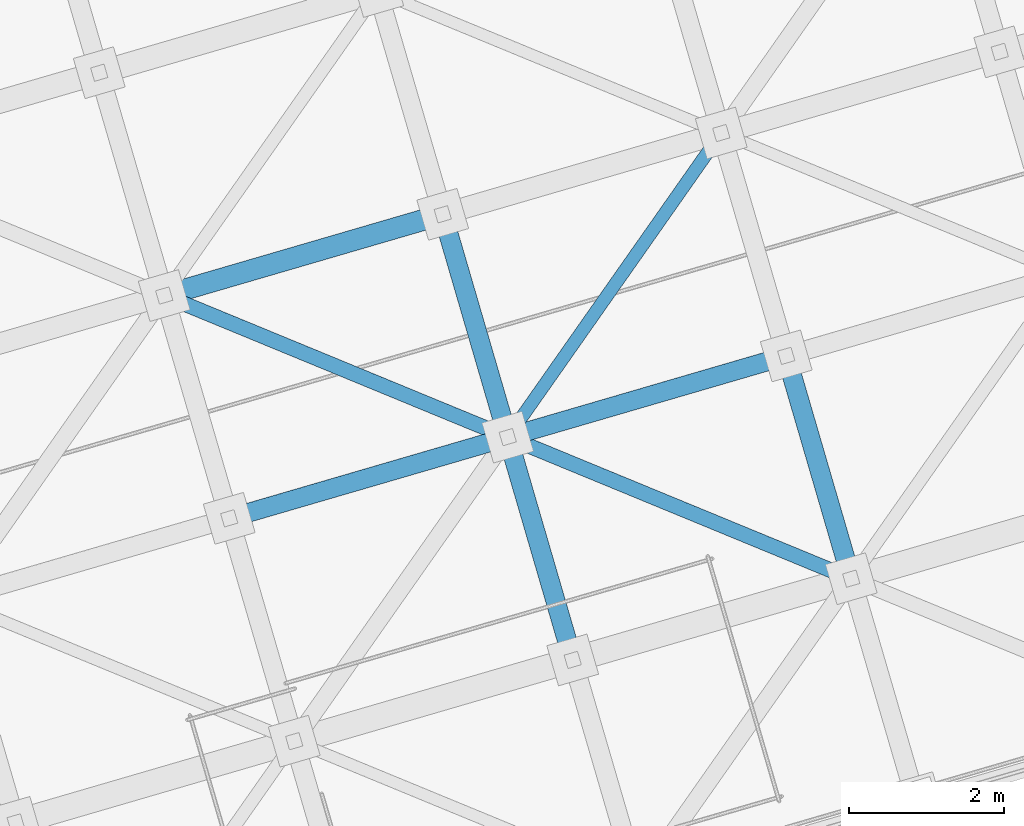
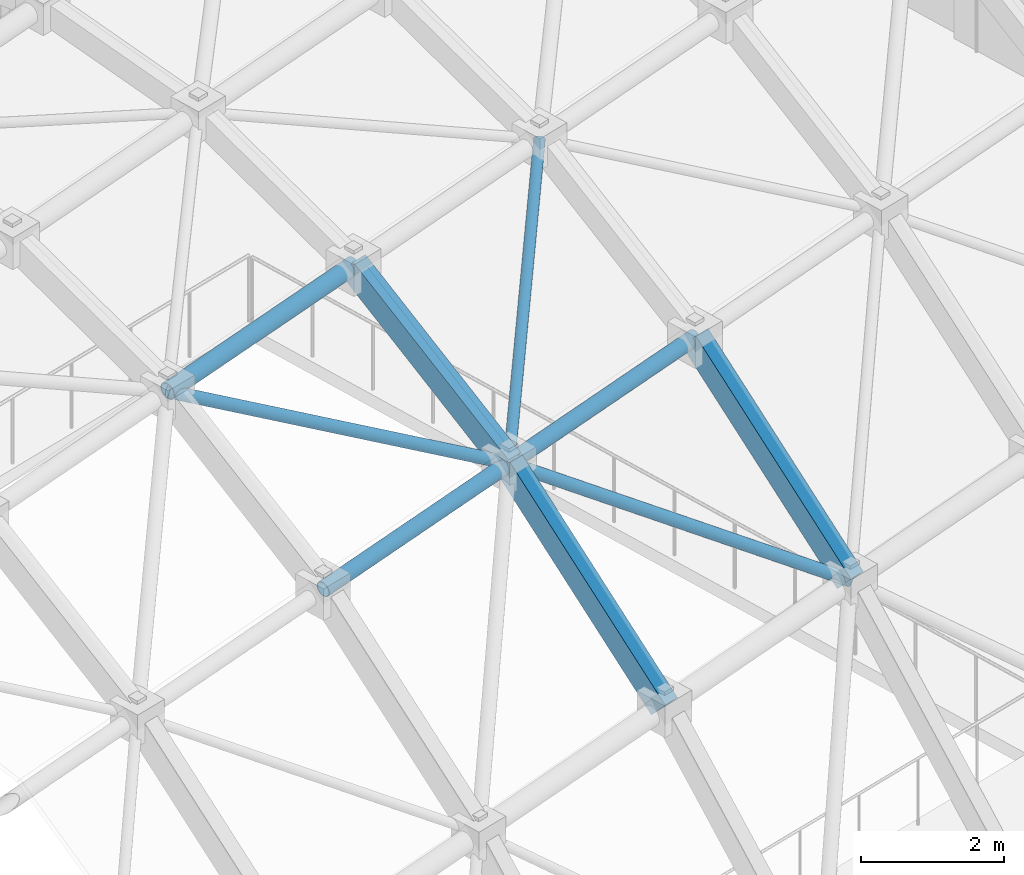
# One storey, part 63 of 248: 6 members, 3 beams.
"""IFC4 building model written with IfcOpenShell, lengths in metres."""

from ifc_helpers import new_model, si_unit, direction, frame, origin, origin_2d, place, context, subcontext, project, spatial, hollow_rectangle, hollow_circle, extrude, material, material_profile, profile_set, type_object, element, save


model = new_model("IFC4")

# Units and contexts
model_context = context("Model", 3, precision=1e-05, world=origin(), true_north=direction((0.0, 1.0)))
body_context = subcontext(model_context, "Body", "Model", "MODEL_VIEW")
ifc_project = project(units=[si_unit("LENGTHUNIT", "METRE"), si_unit("AREAUNIT", "SQUARE_METRE"), si_unit("VOLUMEUNIT", "CUBIC_METRE"), si_unit("PLANEANGLEUNIT", "RADIAN"), si_unit("MASSUNIT", "GRAM", prefix="KILO")], contexts=[model_context])

# Site, building, storey
site_placement = place(None, origin())
site = spatial("IfcSite", under=ifc_project, at=site_placement, CompositionType="ELEMENT")
building_placement = place(site_placement, origin())
building = spatial("IfcBuilding", under=site, at=building_placement, Name="Canggui Botanical Conservatory", CompositionType="ELEMENT")
storey_placement = place(building_placement, frame((0.0, 0.0, 5.39990234375)))
storey = spatial("IfcBuildingStorey", under=building, at=storey_placement, Name="L02", CompositionType="ELEMENT", Elevation=5.39990234375)

# Beams
ifc_material = material(Name="Steel Q355C", Category="steel")
ifc_material_profile_1 = material_profile(ifc_material, hollow_rectangle(XDim=0.25, YDim=0.39990234375, WallThickness=0.013916015625, at=origin_2d()), Name="RHS 250x400x14")
ifc_profile_set_1 = profile_set([ifc_material_profile_1], Name="Steel Q355C")
beam_type = type_object("IfcBeamType", Name="BM-GJ03", PredefinedType="BEAM", material=ifc_profile_set_1)
beam_1_placement = place(storey_placement, frame((47.9599609375, 53.280029296875, 9.05615234375), z_axis=(-0.208504257707, 0.714975646487, 0.667334848069), x_axis=(-0.960010937337, -0.279962497833, 0.0)))
element("IfcBeam", 1, at=beam_1_placement, inside=storey, type_object=beam_type, Name="Conservatory Stepped-Arch Rib GJ-09 Segment 2", PredefinedType="BEAM", context=body_context, shape_type="SweptSolid", body=[
    extrude(hollow_rectangle(XDim=0.25, YDim=0.39990234375, WallThickness=0.013916015625, at=origin_2d()), origin(), (0.0, 0.0, 1.0), 4.02783203125),
])
beam_2_placement = place(storey_placement, frame((47.1201171875, 56.159912109375, 11.744140625), z_axis=(-0.23585528661, 0.808597737907, 0.539019463499), x_axis=(-0.959995442804, -0.2800156242, 0.0)))
element("IfcBeam", 2, at=beam_2_placement, inside=storey, type_object=beam_type, Name="Conservatory Stepped-Arch Rib GJ-09 Segment 3", PredefinedType="BEAM", context=body_context, shape_type="SweptSolid", body=[
    extrude(hollow_rectangle(XDim=0.25, YDim=0.39990234375, WallThickness=0.013916015625, at=origin_2d()), origin(), (0.0, 0.0, 1.0), 3.561767578125),
])
beam_3_placement = place(storey_placement, frame((51.56005859375, 54.330078125, 9.30615234375), z_axis=(-0.208562233276, 0.714966609628, 0.66732641336), x_axis=(-0.959989061447, -0.280037500885, 0.0)))
element("IfcBeam", 3, at=beam_3_placement, inside=storey, type_object=beam_type, Name="Conservatory Stepped-Arch Rib GJ-10 Segment 2", PredefinedType="BEAM", context=body_context, shape_type="SweptSolid", body=[
    extrude(hollow_rectangle(XDim=0.25, YDim=0.39990234375, WallThickness=0.013916015625, at=origin_2d()), origin(), (0.0, 0.0, 1.0), 4.028076171875),
])

# Members
ifc_material_profile_2 = material_profile(ifc_material, hollow_circle(Radius=0.136474609375, WallThickness=0.010009765625, at=origin_2d()), Name="CHS 273x10")
ifc_profile_set_2 = profile_set([ifc_material_profile_2], Name="Steel Q355C")
member_type_1 = type_object("IfcMemberType", Name="MEM-GSC03", PredefinedType="CHORD", material=ifc_profile_set_2)
member_1_placement = place(storey_placement, frame((42.679931640625, 57.989990234375, 13.4140625), z_axis=(0.957872417874, 0.27938486839, 0.066517113516), x_axis=(-0.280004999853, 0.959998541695, 0.0)))
element("IfcMember", 4, at=member_1_placement, inside=storey, type_object=member_type_1, Name="Conservatory Gridshell Longitudinal Chord 8-3", PredefinedType="CHORD", context=body_context, shape_type="SweptSolid", body=[
    extrude(hollow_circle(Radius=0.136474609375, WallThickness=0.010009765625, at=origin_2d()), origin(), (0.0, 0.0, 1.0), 3.758544921875),
])
ifc_material_profile_3 = material_profile(ifc_material, hollow_circle(Radius=0.12255859375, WallThickness=0.010009765625, at=origin_2d()), Name="CHS 245x10")
ifc_profile_set_3 = profile_set([ifc_material_profile_3], Name="Steel Q355C")
member_type_2 = type_object("IfcMemberType", Name="MEM-GSC04", PredefinedType="CHORD", material=ifc_profile_set_3)
for number, where, z_axis, x_axis, name in (
    (5, (43.52001953125, 55.110107421875, 11.494140625), (0.957889800097, 0.279324979006, 0.066518320582), (-0.279945000113, 0.960016039924, 0.0), "Conservatory Gridshell Longitudinal Chord 8-2"),
    (6, (47.1201171875, 56.159912109375, 11.744140625), (0.957867059601, 0.279402253194, 0.066521252562), (-0.280022500685, 0.959993437014, 0.0), "Conservatory Gridshell Longitudinal Chord 9-2"),
):
    element("IfcMember", number, at=place(storey_placement, frame(where, z_axis=z_axis, x_axis=x_axis)), inside=storey, type_object=member_type_2, Name=name, PredefinedType="CHORD", context=body_context, shape_type="SweptSolid", body=[
        extrude(hollow_circle(Radius=0.12255859375, WallThickness=0.010009765625, at=origin_2d()), origin(), (0.0, 0.0, 1.0), 3.75830078125),
    ])
ifc_material_profile_4 = material_profile(ifc_material, hollow_circle(Radius=0.096923828125, WallThickness=0.008056640625, at=origin_2d()), Name="CHS 194x8")
ifc_profile_set_4 = profile_set([ifc_material_profile_4], Name="Steel Q355C")
member_type_3 = type_object("IfcMemberType", Name="MEM-GSD02", PredefinedType="RAFTER", material=ifc_profile_set_4)
member_2_placement = place(storey_placement, frame((42.679931640625, 57.989990234375, 13.4140625), z_axis=(0.873262950772, -0.359926270357, -0.328427920123), x_axis=(0.381064272615, 0.924548549367, 0.0)))
element("IfcMember", 7, at=member_2_placement, inside=storey, type_object=member_type_3, Name="Conservatory Gridshell Diagrid Rafter 8-3", PredefinedType="RAFTER", context=body_context, shape_type="SweptSolid", body=[
    extrude(hollow_circle(Radius=0.096923828125, WallThickness=0.008056640625, at=origin_2d()), origin(), (0.0, 0.0, 1.0), 5.08447265625),
])
member_3_placement = place(storey_placement, frame((47.1201171875, 56.159912109375, 11.744140625), z_axis=(0.824403095504, -0.339761420917, -0.452682795101), x_axis=(0.381038726983, 0.924559077907, 0.0)))
element("IfcMember", 8, at=member_3_placement, inside=storey, type_object=member_type_3, Name="Conservatory Gridshell Diagrid Rafter 9-2", PredefinedType="RAFTER", context=body_context, shape_type="SweptSolid", body=[
    extrude(hollow_circle(Radius=0.096923828125, WallThickness=0.008056640625, at=origin_2d()), origin(), (0.0, 0.0, 1.0), 5.3857421875),
])
ifc_material_profile_5 = material_profile(ifc_material, hollow_circle(Radius=0.083984375, WallThickness=0.008056640625, at=origin_2d()), Name="CHS 168x8")
ifc_profile_set_5 = profile_set([ifc_material_profile_5], Name="Steel Q355C")
member_type_4 = type_object("IfcMemberType", Name="MEM-GSD03", PredefinedType="RAFTER", material=ifc_profile_set_5)
member_4_placement = place(storey_placement, frame((47.1201171875, 56.159912109375, 11.744140625), z_axis=(0.523691201263, 0.745787416661, 0.411762862423), x_axis=(-0.818385554577, 0.574669543355, 0.0)))
element("IfcMember", 9, at=member_4_placement, inside=storey, type_object=member_type_4, Name="Conservatory Gridshell Diagrid Rafter 9-3", PredefinedType="RAFTER", context=body_context, shape_type="SweptSolid", body=[
    extrude(hollow_circle(Radius=0.083984375, WallThickness=0.008056640625, at=origin_2d()), origin(), (0.0, 0.0, 1.0), 5.269775390625),
])

save(model, "model.ifc")
